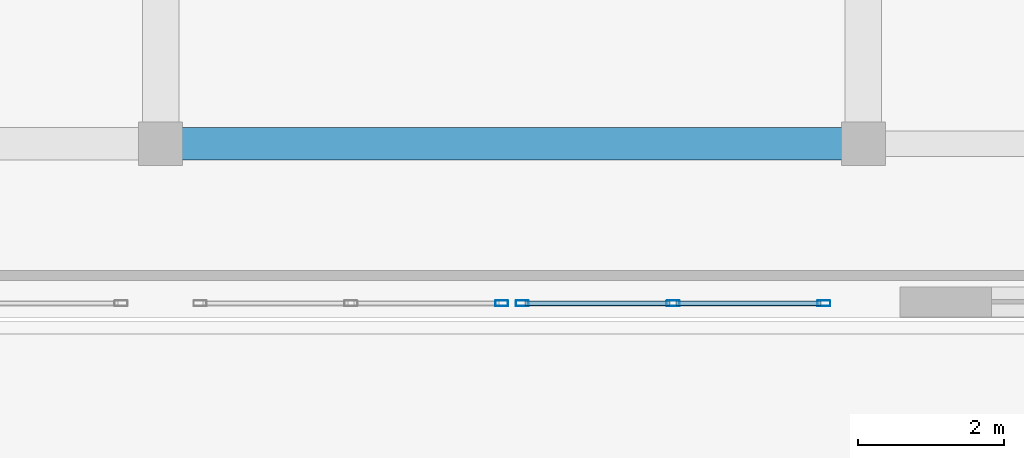
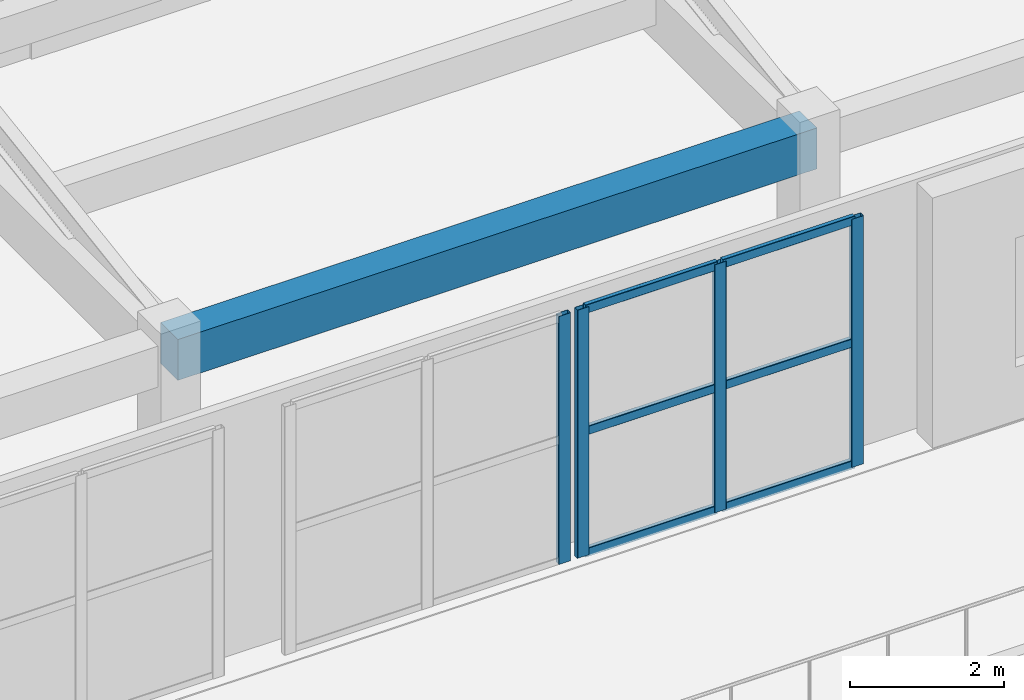
# One storey, part 7 of 29: 10 members, 1 beam, 2 elements without a shape of their own.
"""IFC4 building model written with IfcOpenShell, lengths in metres."""

from ifc_helpers import new_model, si_unit, direction, frame, origin, origin_2d, place, context, subcontext, project, spatial, rectangle, hollow_rectangle, extrude, material, layer, layer_set, material_profile, profile_set, type_object, element, aggregate, save


model = new_model("IFC4")

# Units and contexts
model_context = context("Model", 3, precision=1e-05, world=origin(), true_north=direction((0.0, 1.0)))
body_context = subcontext(model_context, "Body", "Model", "MODEL_VIEW")
ifc_project = project(units=[si_unit("LENGTHUNIT", "METRE"), si_unit("AREAUNIT", "SQUARE_METRE"), si_unit("VOLUMEUNIT", "CUBIC_METRE"), si_unit("PLANEANGLEUNIT", "RADIAN"), si_unit("MASSUNIT", "GRAM", prefix="KILO")], contexts=[model_context])

# Site, building, storey
site_placement = place(None, origin())
site = spatial("IfcSite", under=ifc_project, at=site_placement, CompositionType="ELEMENT")
building_placement = place(site_placement, origin())
building = spatial("IfcBuilding", under=site, at=building_placement, Name="Tarnavel Promenade Courthouse", CompositionType="ELEMENT")
storey_placement = place(building_placement, frame((0.0, 0.0, 22.800048828125)))
storey = spatial("IfcBuildingStorey", under=building, at=storey_placement, Name="L06", CompositionType="ELEMENT", Elevation=22.800048828125)

# Beam
ifc_material_1 = material(Name="Concrete C40/50", Category="concrete")
ifc_material_profile_1 = material_profile(ifc_material_1, rectangle(XDim=0.449951171875, YDim=0.64990234375, at=origin_2d()), Name="RC 450x650")
ifc_profile_set_1 = profile_set([ifc_material_profile_1], Name="Concrete C40/50")
beam_type = type_object("IfcBeamType", Name="Concrete C40/50 BM-RC-450x650 (RC 450x650)", PredefinedType="T_BEAM", material=ifc_profile_set_1)
beam_placement = place(storey_placement, frame((28.800048828125, 74.39990234375, 3.639892578125), z_axis=(1.0, 0.0, 0.0), x_axis=(0.0, 1.0, 0.0)))
element("IfcBeam", 1, at=beam_placement, inside=storey, type_object=beam_type, Name="L06 Primary Longitudinal Beam 2394", PredefinedType="T_BEAM", context=body_context, shape_type="SweptSolid", body=[
    extrude(rectangle(XDim=0.449951171875, YDim=0.64990234375, at=origin_2d()), origin(), (0.0, 0.0, 1.0), 9.599853515625),
])

# Curtain wall, member
ifc_material_2 = material(Name="Thermally Broken Anodised Aluminium Curtain Wall System", Category="aluminium")
ifc_layer = layer(ifc_material_2, 0.195068359375)
ifc_layer_set = layer_set([ifc_layer], Name="Thermally Broken Anodised Aluminium Curtain Wall System")
curtain_wall_type = type_object("IfcCurtainWallType", Name="Thermally Broken Aluminium Triple-Glazed Curtain Wall CW-TER", PredefinedType="NOTDEFINED", material=ifc_layer_set)
curtain_wall_1_placement = place(storey_placement, origin())
curtain_wall_1 = element("IfcCurtainWall", 2, at=curtain_wall_1_placement, inside=storey, type_object=curtain_wall_type, Name="L06 Trial Wing Roof-Garden Glazed Bay 189", PredefinedType="NOTDEFINED")
ifc_material_3 = material(Name="Thermally Broken Anodised Aluminium Frame", Category="aluminium")
ifc_material_profile_2 = material_profile(ifc_material_3, hollow_rectangle(XDim=0.080078125, YDim=0.179931640625, WallThickness=0.0048828125, InnerFilletRadius=0.0048828125, OuterFilletRadius=0.010009765625, at=origin_2d()), Name="CWM 180x80x5")
ifc_profile_set_2 = profile_set([ifc_material_profile_2], Name="Thermally Broken Anodised Aluminium Frame")
member_type_1 = type_object("IfcMemberType", Name="Thermally Broken Anodised Aluminium CWM-155 (CWM 180x80x5)", PredefinedType="MULLION", material=ifc_profile_set_2)
member_1_placement = place(storey_placement, frame((33.4599609375, 72.219970703125, 0.0), z_axis=(0.0, 0.0, 1.0), x_axis=(0.0, 1.0, 0.0)))
member_1 = element("IfcMember", 3, at=member_1_placement, type_object=member_type_1, Name="CW-06 mullion 3", PredefinedType="MULLION", context=body_context, shape_type="SweptSolid", body=[
    extrude(hollow_rectangle(XDim=0.080078125, YDim=0.179931640625, WallThickness=0.0048828125, InnerFilletRadius=0.0048828125, OuterFilletRadius=0.010009765625, at=origin_2d()), origin(), (0.0, 0.0, 1.0), 3.93994140625),
])
aggregate(curtain_wall_1, [member_1])

# Curtain wall, members
curtain_wall_2_placement = place(storey_placement, origin())
curtain_wall_2 = element("IfcCurtainWall", 4, at=curtain_wall_2_placement, inside=storey, type_object=curtain_wall_type, Name="L06 Trial Wing Roof-Garden Glazed Bay 190", PredefinedType="NOTDEFINED")
member_2_placement = place(storey_placement, frame((33.739990234375, 72.219970703125, 0.0), z_axis=(0.0, 0.0, 1.0), x_axis=(0.0, 1.0, 0.0)))
member_2 = element("IfcMember", 5, at=member_2_placement, type_object=member_type_1, Name="CW-06 mullion 1", PredefinedType="MULLION", context=body_context, shape_type="SweptSolid", body=[
    extrude(hollow_rectangle(XDim=0.080078125, YDim=0.179931640625, WallThickness=0.0048828125, InnerFilletRadius=0.0048828125, OuterFilletRadius=0.010009765625, at=origin_2d()), origin(), (0.0, 0.0, 1.0), 3.93994140625),
])
member_3_placement = place(storey_placement, frame((35.800048828125, 72.219970703125, 0.0), z_axis=(0.0, 0.0, 1.0), x_axis=(0.0, 1.0, 0.0)))
member_3 = element("IfcMember", 6, at=member_3_placement, type_object=member_type_1, Name="CW-06 mullion 2", PredefinedType="MULLION", context=body_context, shape_type="SweptSolid", body=[
    extrude(hollow_rectangle(XDim=0.080078125, YDim=0.179931640625, WallThickness=0.0048828125, InnerFilletRadius=0.0048828125, OuterFilletRadius=0.010009765625, at=origin_2d()), origin(), (0.0, 0.0, 1.0), 3.93994140625),
])
member_4_placement = place(storey_placement, frame((37.860107421875, 72.219970703125, 0.0), z_axis=(0.0, 0.0, 1.0), x_axis=(0.0, 1.0, 0.0)))
member_4 = element("IfcMember", 7, at=member_4_placement, type_object=member_type_1, Name="CW-06 mullion 3", PredefinedType="MULLION", context=body_context, shape_type="SweptSolid", body=[
    extrude(hollow_rectangle(XDim=0.080078125, YDim=0.179931640625, WallThickness=0.0048828125, InnerFilletRadius=0.0048828125, OuterFilletRadius=0.010009765625, at=origin_2d()), origin(), (0.0, 0.0, 1.0), 3.93994140625),
])
ifc_material_profile_3 = material_profile(ifc_material_3, hollow_rectangle(XDim=0.070068359375, YDim=0.139892578125, WallThickness=0.0048828125, InnerFilletRadius=0.0048828125, OuterFilletRadius=0.010009765625, at=origin_2d()), Name="CWT 140x70x5")
ifc_profile_set_3 = profile_set([ifc_material_profile_3], Name="Thermally Broken Anodised Aluminium Frame")
member_type_2 = type_object("IfcMemberType", Name="Thermally Broken Anodised Aluminium CWT-125 (CWT 140x70x5)", PredefinedType="USERDEFINED", material=ifc_profile_set_3)
member_5_placement = place(storey_placement, frame((33.780029296875, 72.219970703125, 0.034912109375), z_axis=(1.0, 0.0, 0.0), x_axis=(0.0, 1.0, 0.0)))
member_5 = element("IfcMember", 8, at=member_5_placement, type_object=member_type_2, Name="CW-06 transom 1.1", ObjectType="TRANSOM", PredefinedType="USERDEFINED", context=body_context, shape_type="SweptSolid", body=[
    extrude(hollow_rectangle(XDim=0.070068359375, YDim=0.139892578125, WallThickness=0.0048828125, InnerFilletRadius=0.0048828125, OuterFilletRadius=0.010009765625, at=origin_2d()), origin(), (0.0, 0.0, 1.0), 1.97998046875),
])
member_6_placement = place(storey_placement, frame((33.780029296875, 72.219970703125, 1.969970703125), z_axis=(1.0, 0.0, 0.0), x_axis=(0.0, 1.0, 0.0)))
member_6 = element("IfcMember", 9, at=member_6_placement, type_object=member_type_2, Name="CW-06 transom 1.2", ObjectType="TRANSOM", PredefinedType="USERDEFINED", context=body_context, shape_type="SweptSolid", body=[
    extrude(hollow_rectangle(XDim=0.070068359375, YDim=0.139892578125, WallThickness=0.0048828125, InnerFilletRadius=0.0048828125, OuterFilletRadius=0.010009765625, at=origin_2d()), origin(), (0.0, 0.0, 1.0), 1.97998046875),
])
member_7_placement = place(storey_placement, frame((33.780029296875, 72.219970703125, 3.905029296875), z_axis=(1.0, 0.0, 0.0), x_axis=(0.0, 1.0, 0.0)))
member_7 = element("IfcMember", 10, at=member_7_placement, type_object=member_type_2, Name="CW-06 transom 1.3", ObjectType="TRANSOM", PredefinedType="USERDEFINED", context=body_context, shape_type="SweptSolid", body=[
    extrude(hollow_rectangle(XDim=0.070068359375, YDim=0.139892578125, WallThickness=0.0048828125, InnerFilletRadius=0.0048828125, OuterFilletRadius=0.010009765625, at=origin_2d()), origin(), (0.0, 0.0, 1.0), 1.97998046875),
])
member_8_placement = place(storey_placement, frame((35.840087890625, 72.219970703125, 0.034912109375), z_axis=(1.0, 0.0, 0.0), x_axis=(0.0, 1.0, 0.0)))
member_8 = element("IfcMember", 11, at=member_8_placement, type_object=member_type_2, Name="CW-06 transom 2.1", ObjectType="TRANSOM", PredefinedType="USERDEFINED", context=body_context, shape_type="SweptSolid", body=[
    extrude(hollow_rectangle(XDim=0.070068359375, YDim=0.139892578125, WallThickness=0.0048828125, InnerFilletRadius=0.0048828125, OuterFilletRadius=0.010009765625, at=origin_2d()), origin(), (0.0, 0.0, 1.0), 1.97998046875),
])
member_9_placement = place(storey_placement, frame((35.840087890625, 72.219970703125, 1.969970703125), z_axis=(1.0, 0.0, 0.0), x_axis=(0.0, 1.0, 0.0)))
member_9 = element("IfcMember", 12, at=member_9_placement, type_object=member_type_2, Name="CW-06 transom 2.2", ObjectType="TRANSOM", PredefinedType="USERDEFINED", context=body_context, shape_type="SweptSolid", body=[
    extrude(hollow_rectangle(XDim=0.070068359375, YDim=0.139892578125, WallThickness=0.0048828125, InnerFilletRadius=0.0048828125, OuterFilletRadius=0.010009765625, at=origin_2d()), origin(), (0.0, 0.0, 1.0), 1.97998046875),
])
member_10_placement = place(storey_placement, frame((35.840087890625, 72.219970703125, 3.905029296875), z_axis=(1.0, 0.0, 0.0), x_axis=(0.0, 1.0, 0.0)))
member_10 = element("IfcMember", 13, at=member_10_placement, type_object=member_type_2, Name="CW-06 transom 2.3", ObjectType="TRANSOM", PredefinedType="USERDEFINED", context=body_context, shape_type="SweptSolid", body=[
    extrude(hollow_rectangle(XDim=0.070068359375, YDim=0.139892578125, WallThickness=0.0048828125, InnerFilletRadius=0.0048828125, OuterFilletRadius=0.010009765625, at=origin_2d()), origin(), (0.0, 0.0, 1.0), 1.97998046875),
])
aggregate(curtain_wall_2, [member_2, member_3, member_4, member_5, member_6, member_7, member_8, member_9, member_10])

save(model, "model.ifc")
